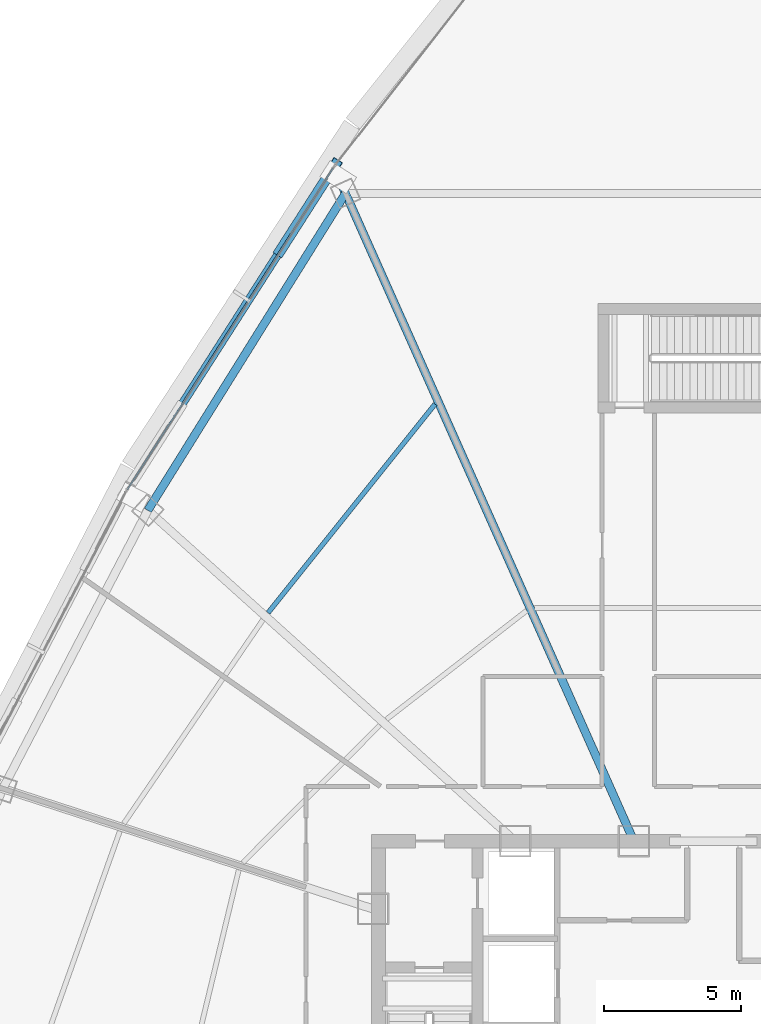
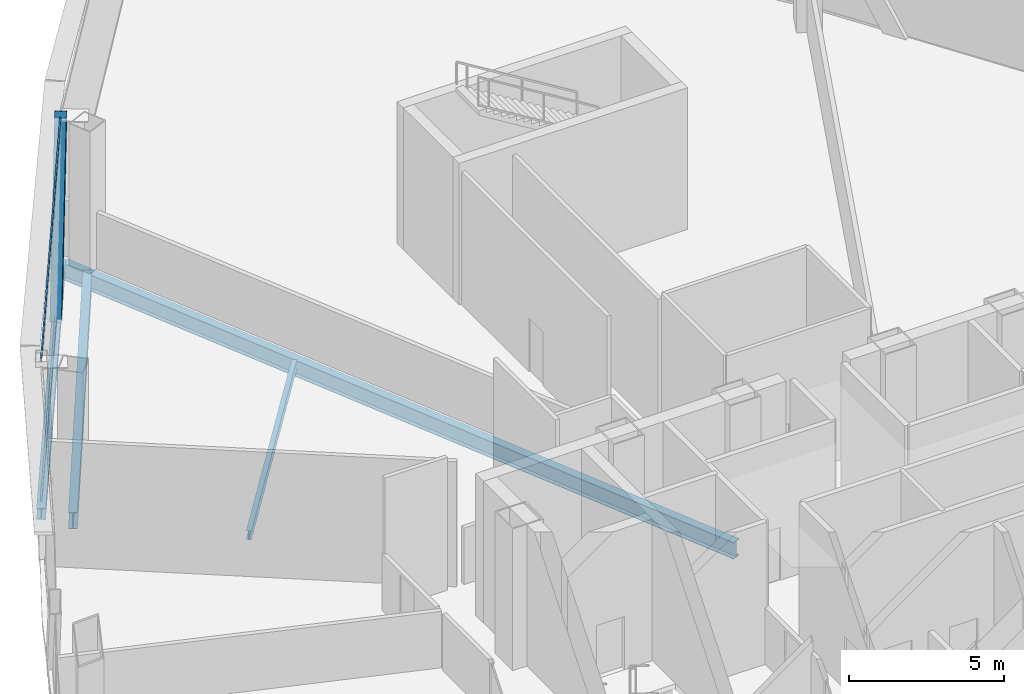
# One storey, part 18 of 38: 4 beams, 3 members, 1 element without a shape of its own.
"""IFC4 building model written with IfcOpenShell, lengths in metres."""

from ifc_helpers import new_model, si_unit, direction, frame, origin, origin_2d, place, context, subcontext, project, spatial, hollow_rectangle, i_section, extrude, source, transform, mapped, material, layer, layer_set, material_profile, profile_set, type_object, element, aggregate, save


model = new_model("IFC4")

# Units and contexts
model_context = context("Model", 3, precision=1e-05, world=origin(), true_north=direction((0.0, 1.0)))
body_context = subcontext(model_context, "Body", "Model", "MODEL_VIEW")
ifc_project = project(units=[si_unit("LENGTHUNIT", "METRE"), si_unit("AREAUNIT", "SQUARE_METRE"), si_unit("VOLUMEUNIT", "CUBIC_METRE"), si_unit("PLANEANGLEUNIT", "RADIAN"), si_unit("MASSUNIT", "GRAM", prefix="KILO"), si_unit("THERMODYNAMICTEMPERATUREUNIT", "KELVIN"), si_unit("POWERUNIT", "WATT")], contexts=[model_context])

# Site, building, storey
site_placement = place(None, origin())
site = spatial("IfcSite", under=ifc_project, at=site_placement, CompositionType="ELEMENT")
building_placement = place(site_placement, origin())
building = spatial("IfcBuilding", under=site, at=building_placement, Name="Yunzhuo Pagoda Commons", CompositionType="ELEMENT")
storey_placement = place(building_placement, frame((0.0, 0.0, 266.909912109375)))
storey = spatial("IfcBuildingStorey", under=building, at=storey_placement, Name="L67", CompositionType="ELEMENT", Elevation=266.909912109375)

# Beams
ifc_material_1 = material(Name="Structural steel Q355B", Category="steel")
ifc_material_profile_1 = material_profile(ifc_material_1, i_section(OverallWidth=0.300048828125, OverallDepth=0.64990234375, WebThickness=0.012939453125, FlangeThickness=0.02197265625, at=origin_2d()), Name="Structural steel Q355B")
ifc_profile_set_1 = profile_set([ifc_material_profile_1], Name="Structural steel Q355B")
beam_type_1 = type_object("IfcBeamType", Name="B-RG2 Beam HN 650x300x13x22", PredefinedType="BEAM", material=ifc_profile_set_1)
shared_shape_1 = source(origin(), body_context, "Body", "SweptSolid", [
    extrude(i_section(OverallWidth=0.300048828125, OverallDepth=0.64990234375, WebThickness=0.012939453125, FlangeThickness=0.02197265625, at=origin_2d()), origin(), (0.0, 0.0, 1.0), 13.615478515625),
])
beam_1_placement = place(storey_placement, frame((34.59326171875, 63.81201171875, -0.5849609375), z_axis=(-0.529178300485, -0.848510651846, 0.0), x_axis=(0.848510651846, -0.529178300485, 0.0)))
element("IfcBeam", 1, at=beam_1_placement, inside=storey, type_object=beam_type_1, Name="L67 column-ring beam 9", PredefinedType="BEAM", context=body_context, shape_type="MappedRepresentation", body=[
    mapped(shared_shape_1, transform((0.0, 0.0, 0.0), scale=1.0)),
])
ifc_material_profile_2 = material_profile(ifc_material_1, i_section(OverallWidth=0.175048828125, OverallDepth=0.35009765625, WebThickness=0.007080078125, FlangeThickness=0.010986328125, at=origin_2d()), Name="Structural steel Q355B")
ifc_profile_set_2 = profile_set([ifc_material_profile_2], Name="Structural steel Q355B")
beam_type_2 = type_object("IfcBeamType", Name="B-JS2 Joist HN 350x175x7x11", PredefinedType="JOIST", material=ifc_profile_set_2)
shared_shape_2 = source(origin(), body_context, "Body", "SweptSolid", [
    extrude(i_section(OverallWidth=0.175048828125, OverallDepth=0.35009765625, WebThickness=0.007080078125, FlangeThickness=0.010986328125, at=origin_2d()), origin(), (0.0, 0.0, 1.0), 9.741455078125),
])
beam_2_placement = place(storey_placement, frame((37.85791015625, 56.1318359375, -0.434814453125), z_axis=(-0.624618636222, -0.780929932378, 0.0), x_axis=(0.780929932378, -0.624618636222, 0.0)))
element("IfcBeam", 2, at=beam_2_placement, inside=storey, type_object=beam_type_2, Name="L67 composite ring joist 2.9", PredefinedType="JOIST", context=body_context, shape_type="MappedRepresentation", body=[
    mapped(shared_shape_2, transform((0.0, 0.0, 0.0), scale=1.0)),
])
shared_shape_3 = source(origin(), body_context, "Body", "SweptSolid", [
    extrude(i_section(OverallWidth=0.300048828125, OverallDepth=0.64990234375, WebThickness=0.012939453125, FlangeThickness=0.02197265625, at=origin_2d()), origin(), (0.0, 0.0, 1.0), 26.74169921875),
])
beam_3_placement = place(storey_placement, frame((34.229248046875, 64.629638671875, -0.5849609375), z_axis=(0.40673387601, -0.913546689615, 0.0), x_axis=(0.913546689615, 0.40673387601, 0.0)))
element("IfcBeam", 3, at=beam_3_placement, inside=storey, type_object=beam_type_1, Name="L67 radial floor girder F3C1", PredefinedType="BEAM", context=body_context, shape_type="MappedRepresentation", body=[
    mapped(shared_shape_3, transform((0.0, 0.0, 0.0), scale=1.0)),
])
ifc_material_profile_3 = material_profile(ifc_material_1, i_section(OverallWidth=0.300048828125, OverallDepth=0.43994140625, WebThickness=0.010986328125, FlangeThickness=0.01806640625, at=origin_2d()), Name="Structural steel Q355B")
ifc_profile_set_3 = profile_set([ifc_material_profile_3], Name="Structural steel Q355B")
beam_type_3 = type_object("IfcBeamType", Name="B-SP2 Beam HM 440x300x11x18", PredefinedType="BEAM", material=ifc_profile_set_3)
shared_shape_4 = source(origin(), body_context, "Body", "SweptSolid", [
    extrude(i_section(OverallWidth=0.300048828125, OverallDepth=0.43994140625, WebThickness=0.010986328125, FlangeThickness=0.01806640625, at=origin_2d()), origin(), (0.0, 0.0, 1.0), 14.02099609375),
])
beam_4_placement = place(storey_placement, frame((34.166259765625, 64.77099609375, -0.47998046875), z_axis=(-0.53907296662, -0.842259067425, 0.0), x_axis=(0.842259067425, -0.53907296662, 0.0)))
element("IfcBeam", 4, at=beam_4_placement, inside=storey, type_object=beam_type_3, Name="L67 facade edge spandrel beam F3.1", PredefinedType="BEAM", context=body_context, shape_type="MappedRepresentation", body=[
    mapped(shared_shape_4, transform((0.0, 0.0, 0.0), scale=1.0)),
])

# Member
ifc_material_profile_4 = material_profile(ifc_material_1, hollow_rectangle(XDim=0.3798828125, YDim=0.719970703125, WallThickness=0.02001953125, at=origin_2d()), Name="Structural steel Q355B")
ifc_profile_set_4 = profile_set([ifc_material_profile_4], Name="Structural steel Q355B")
member_type_1 = type_object("IfcMemberType", Name="M-DL3 Brace BOX 720x380x20", PredefinedType="BRACE", material=ifc_profile_set_4)
shared_shape_5 = source(origin(), body_context, "Body", "SweptSolid", [
    extrude(hollow_rectangle(XDim=0.3798828125, YDim=0.719970703125, WallThickness=0.02001953125, at=origin_2d()), origin(), (0.0, 0.0, 1.0), 6.802734375),
])
member_1_placement = place(storey_placement, frame((32.276611328125, 61.81884765625, -0.260009765625), z_axis=(0.277773533048, 0.433958341294, 0.857042602418), x_axis=(-0.842235979724, 0.539109037634, 0.0)))
element("IfcMember", 5, at=member_1_placement, inside=storey, type_object=member_type_1, Name="L67 facade diamond brace F3.1L", PredefinedType="BRACE", context=body_context, shape_type="MappedRepresentation", body=[
    mapped(shared_shape_5, transform((0.0, 0.0, 0.0), scale=1.0)),
])

# Curtain wall, members
ifc_material_2 = material(Name="Anodized aluminium 6063-T6", Category="aluminium")
ifc_layer = layer(ifc_material_2, 0.139892578125)
ifc_layer_set = layer_set([ifc_layer], Name="Anodized aluminium 6063-T6")
curtain_wall_type = type_object("IfcCurtainWallType", Name="CW-HI High-Zone Ribbon Curtain Wall", PredefinedType="NOTDEFINED", material=ifc_layer_set)
curtain_wall_placement = place(storey_placement, origin())
curtain_wall = element("IfcCurtainWall", 6, at=curtain_wall_placement, inside=storey, type_object=curtain_wall_type, Name="L67 curtain wall CW-L67-F3B2", PredefinedType="NOTDEFINED")
ifc_material_profile_5 = material_profile(ifc_material_2, hollow_rectangle(XDim=0.054931640625, YDim=0.1201171875, WallThickness=0.00341796875, at=origin_2d()), Name="Anodized aluminium 6063-T6")
ifc_profile_set_5 = profile_set([ifc_material_profile_5], Name="Anodized aluminium 6063-T6")
member_type_2 = type_object("IfcMemberType", Name="CW-HI-T Transom RHS 120x55x3.5", PredefinedType="USERDEFINED", material=ifc_profile_set_5)
shared_shape_6 = source(origin(), body_context, "Body", "SweptSolid", [
    extrude(hollow_rectangle(XDim=0.054931640625, YDim=0.1201171875, WallThickness=0.00341796875, at=origin_2d()), origin(), (0.0, 0.0, 1.0), 13.901123046875),
])
member_2_placement = place(storey_placement, frame((34.134033203125, 64.720458984375, 0.027587890625), z_axis=(-0.539085093496, -0.84225130571, 0.0), x_axis=(0.84225130571, -0.539085093496, 0.0)))
member_2 = element("IfcMember", 7, at=member_2_placement, type_object=member_type_2, Name="CW transom 1.1", ObjectType="TRANSOM", PredefinedType="USERDEFINED", context=body_context, shape_type="MappedRepresentation", body=[
    mapped(shared_shape_6, transform((0.0, 0.0, 0.0), scale=1.0)),
])
member_3_placement = place(storey_placement, frame((34.134033203125, 64.720458984375, 5.54248046875), z_axis=(-0.539085093496, -0.84225130571, 0.0), x_axis=(0.84225130571, -0.539085093496, 0.0)))
member_3 = element("IfcMember", 8, at=member_3_placement, type_object=member_type_2, Name="CW transom 1.2", ObjectType="TRANSOM", PredefinedType="USERDEFINED", context=body_context, shape_type="MappedRepresentation", body=[
    mapped(shared_shape_6, transform((0.0, 0.0, 0.0), scale=1.0)),
])
aggregate(curtain_wall, [member_2, member_3])

save(model, "model.ifc")
